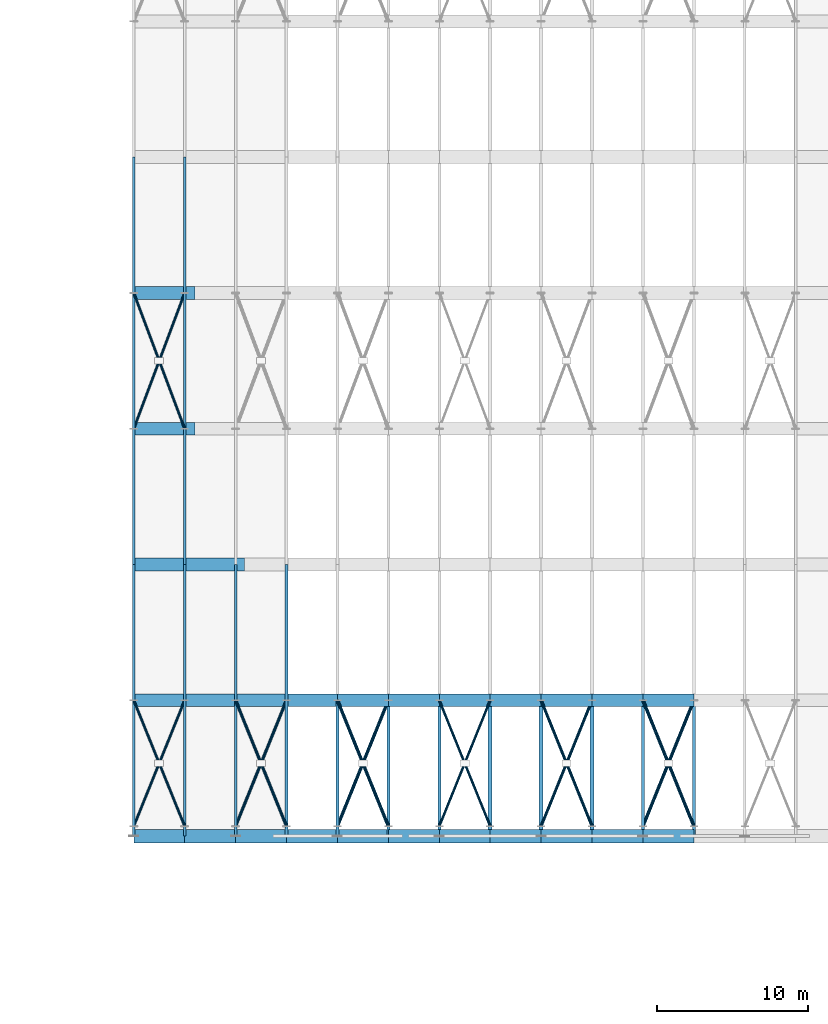
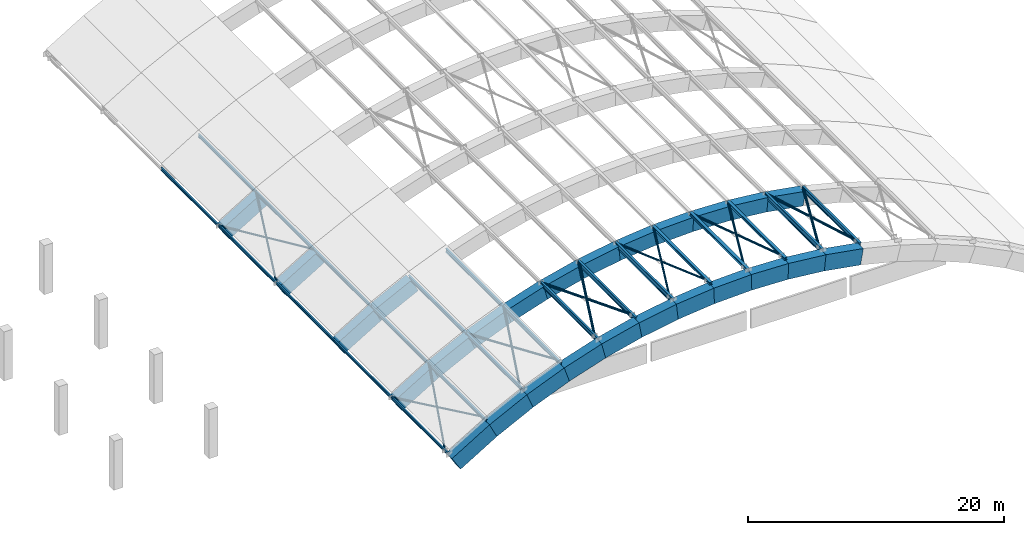
# One storey, part 4 of 30: 48 beams, 21 members.
"""IFC4 building model written with IfcOpenShell, lengths in metres."""

import ifcopenshell
import ifcopenshell.guid

model = None  # the IFC model being written
_history = None  # IfcOwnerHistory: only IFC2X3 demands one
_inside = {}  # id of a spatial element -> (the spatial element, [elements in it])
_under = {}  # id of a project, library or spatial element -> (it, [spatial elements below it])
_declared = {}  # id of a project -> (the project, [libraries it declares])
_typed = {}  # id of a type object -> (the type object, [elements of that type])
_made_of = {}  # id of a material, layer set ... -> (it, [elements and type objects made of it])


def new_model(schema):
    """Start an empty IFC model of exactly this schema.

    Asked for "IFC4X3", IfcOpenShell would pick the latest addendum, in which some entities
    have other attributes; the version numbers below select the first issue.
    IFC2X3 requires an IfcOwnerHistory on every rooted entity: one is made here for all.
    """
    global model, _history
    if schema == "IFC4X3":
        model = ifcopenshell.file(schema_version=(4, 3, 0, 0))
    else:
        model = ifcopenshell.file(schema=schema)
    _inside.clear()
    _under.clear()
    _declared.clear()
    _typed.clear()
    _made_of.clear()
    _history = None
    if model.schema == "IFC2X3":
        org = make("IfcOrganization", Name="unknown")
        user = make(
            "IfcPersonAndOrganization",
            ThePerson=make("IfcPerson", FamilyName="unknown"),
            TheOrganization=org,
        )
        app = make(
            "IfcApplication",
            ApplicationDeveloper=org,
            Version="unknown",
            ApplicationFullName="unknown",
            ApplicationIdentifier="unknown",
        )
        _history = make(
            "IfcOwnerHistory",
            OwningUser=user,
            OwningApplication=app,
            ChangeAction="ADDED",
            CreationDate=0,
        )
    return model


def make(cls, **values):
    """One entity of the class cls with the attributes given. An attribute that is None is left unset."""
    return model.create_entity(
        cls, **{name: value for name, value in values.items() if value is not None}
    )


def rooted(cls, **values):
    """An entity with a GlobalId (a new one), such as an element, a storey or a relation."""
    return make(cls, GlobalId=ifcopenshell.guid.new(), OwnerHistory=_history, **values)


def si_unit(unit_type, name, prefix=None):
    """IfcSIUnit, for example si_unit("LENGTHUNIT", "METRE", prefix="MILLI")."""
    return make("IfcSIUnit", UnitType=unit_type, Prefix=prefix, Name=name)


def assignment(units):
    """IfcUnitAssignment: the units of a project."""
    return None if units is None else make("IfcUnitAssignment", Units=units)


def point(xyz):
    """IfcCartesianPoint."""
    return None if xyz is None else make("IfcCartesianPoint", Coordinates=xyz)


def direction(xyz):
    """IfcDirection."""
    return None if xyz is None else make("IfcDirection", DirectionRatios=xyz)


def frame(location, z_axis=None, x_axis=None):
    """IfcAxis2Placement3D, a coordinate frame: its origin and axes. An axis left out is left unset."""
    return make(
        "IfcAxis2Placement3D",
        Location=point(location),
        Axis=direction(z_axis),
        RefDirection=direction(x_axis),
    )


def frame_2d(location, x_axis=None):
    """IfcAxis2Placement2D, a coordinate frame in the plane: its origin and x axis."""
    return make(
        "IfcAxis2Placement2D", Location=point(location), RefDirection=direction(x_axis)
    )


def origin():
    """The frame at (0, 0, 0) with its axes left unset."""
    return frame((0.0, 0.0, 0.0))


def origin_2d():
    """The frame at (0, 0) in the plane with its x axis left unset."""
    return frame_2d((0.0, 0.0))


def place(relative_to, where):
    """IfcLocalPlacement: puts the frame where relative to a parent placement (None: the world)."""
    return make(
        "IfcLocalPlacement", PlacementRelTo=relative_to, RelativePlacement=where
    )


def context(
    kind, dimensions, precision=None, world=None, true_north=None, identifier=None
):
    """IfcGeometricRepresentationContext, for example the 3D "Model" context."""
    return make(
        "IfcGeometricRepresentationContext",
        ContextIdentifier=identifier,
        ContextType=kind,
        CoordinateSpaceDimension=dimensions,
        Precision=precision,
        WorldCoordinateSystem=world,
        TrueNorth=true_north,
    )


def subcontext(parent, identifier, kind, view, scale=None):
    """IfcGeometricRepresentationSubContext, for example "Body" below "Model"."""
    return make(
        "IfcGeometricRepresentationSubContext",
        ContextIdentifier=identifier,
        ContextType=kind,
        ParentContext=parent,
        TargetScale=scale,
        TargetView=view,
    )


def project(units=None, contexts=None):
    """IfcProject with its units and contexts."""
    return rooted(
        "IfcProject",
        Name="project",
        RepresentationContexts=contexts,
        UnitsInContext=assignment(units),
    )


def spatial(cls, under=None, at=None, **own):
    """A site, building, storey or space (cls), placed at a placement, below another one or the project."""
    s = rooted(cls, ObjectPlacement=at, **own)
    if under is not None:
        _under.setdefault(under.id(), (under, []))[1].append(s)
    return s


def profile(cls, at=None, kind="AREA", **sizes):
    """A parametric profile (cls). Its sizes go by their IFC names, for example OverallWidth=200.0."""
    return make(cls, ProfileType=kind, Position=at, **sizes)


def rectangle(**sizes):
    """IfcRectangleProfileDef."""
    return profile("IfcRectangleProfileDef", **sizes)


def hollow_circle(**sizes):
    """IfcCircleHollowProfileDef."""
    return profile("IfcCircleHollowProfileDef", **sizes)


def i_section(**sizes):
    """IfcIShapeProfileDef."""
    return profile("IfcIShapeProfileDef", **sizes)


def extrude(swept, where, along, depth):
    """IfcExtrudedAreaSolid: the profile swept, set in the frame where, extruded along a direction by depth."""
    return make(
        "IfcExtrudedAreaSolid",
        SweptArea=swept,
        Position=where,
        ExtrudedDirection=direction(along),
        Depth=depth,
    )


def shape(context_of_items, identifier, shape_type, items):
    """IfcShapeRepresentation: the items that make up one representation, for example the "Body"."""
    return make(
        "IfcShapeRepresentation",
        ContextOfItems=context_of_items,
        RepresentationIdentifier=identifier,
        RepresentationType=shape_type,
        Items=items,
    )


def material(Name=None, Category=None):
    """IfcMaterial."""
    return make("IfcMaterial", Name=Name, Category=Category)


def material_profile(
    of_material, cross_section, Name=None, Category=None, Priority=None
):
    """IfcMaterialProfile: a cross section and its material."""
    return make(
        "IfcMaterialProfile",
        Name=Name,
        Material=of_material,
        Profile=cross_section,
        Priority=Priority,
        Category=Category,
    )


def profile_set(profiles, Name=None, composite=None):
    """IfcMaterialProfileSet."""
    return make(
        "IfcMaterialProfileSet",
        Name=Name,
        MaterialProfiles=profiles,
        CompositeProfile=composite,
    )


def made_of(thing, what):
    """Note that an element or type object is made of a material, layer set ...; save() writes the relation."""
    if what is not None:
        _made_of.setdefault(what.id(), (what, []))[1].append(thing)
    return thing


def type_object(cls, material=None, **own):
    """A type object (cls), such as IfcWallType, which elements share."""
    return made_of(rooted(cls, **own), material)


def element(
    cls,
    number,
    at=None,
    inside=None,
    cuts=None,
    type_object=None,
    material=None,
    context=None,
    identifier="Body",
    shape_type=None,
    held_by="IfcProductDefinitionShape",
    body=None,
    shapes=None,
    **own,
):
    """One element of the class cls, such as IfcWall. Its Tag is "e" and its number.

    at: its placement. inside: the storey or other place that contains it. cuts: it is an
    opening in that element (IfcRelVoidsElement). A single representation is given by context,
    identifier, shape_type and body (its items); several are given by shapes. held_by: the class
    of the entity that holds the representations. save() writes the other relations.
    """
    e = rooted(cls, Tag="e%d" % number, ObjectPlacement=at, **own)
    if body is not None:
        shapes = [shape(context, identifier, shape_type, body)]
    if shapes is not None:
        e.Representation = make(held_by, Representations=shapes)
    if inside is not None:
        _inside.setdefault(inside.id(), (inside, []))[1].append(e)
    if cuts is not None:
        rooted(
            "IfcRelVoidsElement", RelatingBuildingElement=cuts, RelatedOpeningElement=e
        )
    if type_object is not None:
        _typed.setdefault(type_object.id(), (type_object, []))[1].append(e)
    return made_of(e, material)


def aggregate(whole, parts):
    """IfcRelAggregates: a whole, such as a stair, and the parts it consists of."""
    return rooted("IfcRelAggregates", RelatingObject=whole, RelatedObjects=parts)


def save(model, path):
    """Write the relations noted so far, then the file.

    IfcRelAggregates (storeys below a building ...), IfcRelContainedInSpatialStructure (elements
    in a storey), IfcRelDefinesByType, IfcRelAssociatesMaterial and IfcRelDeclares: one each for
    every whole, place, type object, material and project.
    """
    for whole, parts in _under.values():
        aggregate(whole, parts)
    for where, things in _inside.values():
        rooted(
            "IfcRelContainedInSpatialStructure",
            RelatedElements=things,
            RelatingStructure=where,
        )
    for kind, things in _typed.values():
        rooted("IfcRelDefinesByType", RelatedObjects=things, RelatingType=kind)
    for what, things in _made_of.values():
        rooted("IfcRelAssociatesMaterial", RelatedObjects=things, RelatingMaterial=what)
    for by, libraries in _declared.values():
        rooted("IfcRelDeclares", RelatingContext=by, RelatedDefinitions=libraries)
    model.write(path)


model = new_model("IFC4")

# Units and contexts
model_context = context("Model", 3, precision=1e-05, world=origin(), true_north=direction((0.0, 1.0)))
body_context = subcontext(model_context, "Body", "Model", "MODEL_VIEW")
ifc_project = project(units=[si_unit("LENGTHUNIT", "METRE"), si_unit("AREAUNIT", "SQUARE_METRE"), si_unit("VOLUMEUNIT", "CUBIC_METRE"), si_unit("PLANEANGLEUNIT", "RADIAN"), si_unit("MASSUNIT", "GRAM", prefix="KILO")], contexts=[model_context])

# Site, building, storey
site_placement = place(None, origin())
site = spatial("IfcSite", under=ifc_project, at=site_placement, CompositionType="ELEMENT")
building_placement = place(site_placement, origin())
building = spatial("IfcBuilding", under=site, at=building_placement, Name="Ornek Quay Market", CompositionType="ELEMENT")
storey_placement = place(building_placement, frame((0.0, 0.0, 12.0)))
storey = spatial("IfcBuildingStorey", under=building, at=storey_placement, Name="L03", CompositionType="ELEMENT", Elevation=12.0)

# Beams
ifc_material_1 = material(Name="Concrete C45/55", Category="concrete")
ifc_material_profile_1 = material_profile(ifc_material_1, rectangle(XDim=0.85009765625, YDim=1.35009765625, at=origin_2d()), Name="RC 850x1350", Category="concrete")
ifc_profile_set_1 = profile_set([ifc_material_profile_1], Name="Concrete C45/55")
beam_type_1 = type_object("IfcBeamType", Name="BM-ARCH-850x1350", PredefinedType="BEAM", material=ifc_profile_set_1)
beam_1_placement = place(storey_placement, frame((63.3486328125, 38.0, -3.577880859375), z_axis=(0.856326530364, 0.0, 0.516434771675), x_axis=(0.0, 1.0, 0.0)))
element("IfcBeam", 1, at=beam_1_placement, inside=storey, type_object=beam_type_1, Name="Arch rib chord E.1", PredefinedType="BEAM", context=body_context, shape_type="SweptSolid", body=[
    extrude(rectangle(XDim=0.85009765625, YDim=1.35009765625, at=origin_2d()), origin(), (0.0, 0.0, 1.0), 3.941162109375),
])
beam_2_placement = place(storey_placement, frame((66.677001953125, 38.0, -1.568115234375), z_axis=(0.894245991428, 0.0, 0.447575811248), x_axis=(0.0, 1.0, 0.0)))
element("IfcBeam", 2, at=beam_2_placement, inside=storey, type_object=beam_type_1, Name="Arch rib chord E.2", PredefinedType="BEAM", context=body_context, shape_type="SweptSolid", body=[
    extrude(rectangle(XDim=0.85009765625, YDim=1.35009765625, at=origin_2d()), origin(), (0.0, 0.0, 1.0), 3.774169921875),
])
beam_3_placement = place(storey_placement, frame((70.005615234375, 38.0, 0.10009765625), z_axis=(0.925506425872, 0.0, 0.378731904742), x_axis=(0.0, 1.0, 0.0)))
element("IfcBeam", 3, at=beam_3_placement, inside=storey, type_object=beam_type_1, Name="Arch rib chord E.3", PredefinedType="BEAM", context=body_context, shape_type="SweptSolid", body=[
    extrude(rectangle(XDim=0.85009765625, YDim=1.35009765625, at=origin_2d()), origin(), (0.0, 0.0, 1.0), 3.646728515625),
])
beam_4_placement = place(storey_placement, frame((73.333984375, 38.0, 1.464111328125), z_axis=(0.950807373928, 0.0, 0.309782726575), x_axis=(0.0, 1.0, 0.0)))
element("IfcBeam", 4, at=beam_4_placement, inside=storey, type_object=beam_type_1, Name="Arch rib chord E.4", PredefinedType="BEAM", context=body_context, shape_type="SweptSolid", body=[
    extrude(rectangle(XDim=0.85009765625, YDim=1.35009765625, at=origin_2d()), origin(), (0.0, 0.0, 1.0), 3.549560546875),
])
beam_5_placement = place(storey_placement, frame((76.66259765625, 38.0, 2.550537109375), z_axis=(0.970537665456, 0.0, 0.240949455139), x_axis=(0.0, 1.0, 0.0)))
element("IfcBeam", 5, at=beam_5_placement, inside=storey, type_object=beam_type_1, Name="Arch rib chord E.5", PredefinedType="BEAM", context=body_context, shape_type="SweptSolid", body=[
    extrude(rectangle(XDim=0.85009765625, YDim=1.35009765625, at=origin_2d()), origin(), (0.0, 0.0, 1.0), 3.4775390625),
])
beam_6_placement = place(storey_placement, frame((79.9912109375, 38.0, 3.378662109375), z_axis=(0.985069160971, 0.0, 0.172159077901), x_axis=(0.0, 1.0, 0.0)))
element("IfcBeam", 6, at=beam_6_placement, inside=storey, type_object=beam_type_1, Name="Arch rib chord E.6", PredefinedType="BEAM", context=body_context, shape_type="SweptSolid", body=[
    extrude(rectangle(XDim=0.85009765625, YDim=1.35009765625, at=origin_2d()), origin(), (0.0, 0.0, 1.0), 3.42626953125),
])
beam_7_placement = place(storey_placement, frame((83.319580078125, 38.0, 3.9619140625), z_axis=(0.994648025839, 0.0, 0.10332136611), x_axis=(0.0, 1.0, 0.0)))
element("IfcBeam", 7, at=beam_7_placement, inside=storey, type_object=beam_type_1, Name="Arch rib chord E.7", PredefinedType="BEAM", context=body_context, shape_type="SweptSolid", body=[
    extrude(rectangle(XDim=0.85009765625, YDim=1.35009765625, at=origin_2d()), origin(), (0.0, 0.0, 1.0), 3.39306640625),
])
for number, where, z_axis, x_axis, name in (
    (8, (86.648193359375, 38.0, 4.30908203125), (0.999407715337, 0.0, 0.034412476309), (0.0, 1.0, 0.0), "Arch rib chord E.8"),
    (9, (89.976806640625, 38.0, 4.42529296875), (0.999407715337, 0.0, -0.034412476309), (0.0, 1.0, 0.0), "Arch rib chord E.9"),
):
    element("IfcBeam", number, at=place(storey_placement, frame(where, z_axis=z_axis, x_axis=x_axis)), inside=storey, type_object=beam_type_1, Name=name, PredefinedType="BEAM", context=body_context, shape_type="SweptSolid", body=[
        extrude(rectangle(XDim=0.85009765625, YDim=1.35009765625, at=origin_2d()), origin(), (0.0, 0.0, 1.0), 3.376953125),
    ])
beam_8_placement = place(storey_placement, frame((93.305419921875, 38.0, 4.3125), z_axis=(0.994648025839, 0.0, -0.10332136611), x_axis=(0.0, 1.0, 0.0)))
element("IfcBeam", 10, at=beam_8_placement, inside=storey, type_object=beam_type_1, Name="Arch rib chord E.10", PredefinedType="BEAM", context=body_context, shape_type="SweptSolid", body=[
    extrude(rectangle(XDim=0.85009765625, YDim=1.35009765625, at=origin_2d()), origin(), (0.0, 0.0, 1.0), 3.39306640625),
])
beam_9_placement = place(storey_placement, frame((96.6337890625, 38.0, 3.968505859375), z_axis=(0.985069160971, 0.0, -0.172159077901), x_axis=(0.0, 1.0, 0.0)))
element("IfcBeam", 11, at=beam_9_placement, inside=storey, type_object=beam_type_1, Name="Arch rib chord E.11", PredefinedType="BEAM", context=body_context, shape_type="SweptSolid", body=[
    extrude(rectangle(XDim=0.85009765625, YDim=1.35009765625, at=origin_2d()), origin(), (0.0, 0.0, 1.0), 3.42626953125),
])
beam_10_placement = place(storey_placement, frame((63.3486328125, 47.0, -3.577880859375), z_axis=(0.856326530364, 0.0, 0.516434771675), x_axis=(0.0, 1.0, 0.0)))
element("IfcBeam", 12, at=beam_10_placement, inside=storey, type_object=beam_type_1, Name="Arch rib chord F.1", PredefinedType="BEAM", context=body_context, shape_type="SweptSolid", body=[
    extrude(rectangle(XDim=0.85009765625, YDim=1.35009765625, at=origin_2d()), origin(), (0.0, 0.0, 1.0), 3.941162109375),
])
beam_11_placement = place(storey_placement, frame((66.677001953125, 47.0, -1.568115234375), z_axis=(0.894245991428, 0.0, 0.447575811248), x_axis=(0.0, 1.0, 0.0)))
element("IfcBeam", 13, at=beam_11_placement, inside=storey, type_object=beam_type_1, Name="Arch rib chord F.2", PredefinedType="BEAM", context=body_context, shape_type="SweptSolid", body=[
    extrude(rectangle(XDim=0.85009765625, YDim=1.35009765625, at=origin_2d()), origin(), (0.0, 0.0, 1.0), 3.774169921875),
])
for number, where, z_axis, x_axis, name in (
    (14, (63.3486328125, 56.0, -3.577880859375), (0.856326530364, 0.0, 0.516434771675), (0.0, 1.0, 0.0), "Arch rib chord G.1"),
    (15, (63.3486328125, 65.0, -3.577880859375), (0.856326530364, 0.0, 0.516434771675), (0.0, 1.0, 0.0), "Arch rib chord H.1"),
):
    element("IfcBeam", number, at=place(storey_placement, frame(where, z_axis=z_axis, x_axis=x_axis)), inside=storey, type_object=beam_type_1, Name=name, PredefinedType="BEAM", context=body_context, shape_type="SweptSolid", body=[
        extrude(rectangle(XDim=0.85009765625, YDim=1.35009765625, at=origin_2d()), origin(), (0.0, 0.0, 1.0), 3.941162109375),
    ])
ifc_material_profile_2 = material_profile(ifc_material_1, rectangle(XDim=0.89990234375, YDim=1.5, at=origin_2d()), Name="RC 900x1500", Category="concrete")
ifc_profile_set_2 = profile_set([ifc_material_profile_2], Name="Concrete C45/55")
beam_type_2 = type_object("IfcBeamType", Name="BM-ARCH-900x1500", PredefinedType="BEAM", material=ifc_profile_set_2)
beam_12_placement = place(storey_placement, frame((63.387451171875, 29.0, -3.64208984375), z_axis=(0.856326530364, 0.0, 0.516434771675), x_axis=(0.0, 1.0, 0.0)))
element("IfcBeam", 16, at=beam_12_placement, inside=storey, type_object=beam_type_2, Name="Arch rib chord D.1", PredefinedType="BEAM", context=body_context, shape_type="SweptSolid", body=[
    extrude(rectangle(XDim=0.89990234375, YDim=1.5, at=origin_2d()), origin(), (0.0, 0.0, 1.0), 3.941162109375),
])
beam_13_placement = place(storey_placement, frame((66.710693359375, 29.0, -1.635009765625), z_axis=(0.894245991428, 0.0, 0.447575811248), x_axis=(0.0, 1.0, 0.0)))
element("IfcBeam", 17, at=beam_13_placement, inside=storey, type_object=beam_type_2, Name="Arch rib chord D.2", PredefinedType="BEAM", context=body_context, shape_type="SweptSolid", body=[
    extrude(rectangle(XDim=0.89990234375, YDim=1.5, at=origin_2d()), origin(), (0.0, 0.0, 1.0), 3.774169921875),
])
beam_14_placement = place(storey_placement, frame((70.033935546875, 29.0, 0.03076171875), z_axis=(0.925529891662, 0.0, 0.378674556368), x_axis=(0.0, 1.0, 0.0)))
element("IfcBeam", 18, at=beam_14_placement, inside=storey, type_object=beam_type_2, Name="Arch rib chord D.3", PredefinedType="BEAM", context=body_context, shape_type="SweptSolid", body=[
    extrude(rectangle(XDim=0.89990234375, YDim=1.5, at=origin_2d()), origin(), (0.0, 0.0, 1.0), 3.646484375),
])
beam_15_placement = place(storey_placement, frame((73.357421875, 29.0, 1.392578125), z_axis=(0.950787113767, 0.0, 0.309844903611), x_axis=(0.0, 1.0, 0.0)))
element("IfcBeam", 19, at=beam_15_placement, inside=storey, type_object=beam_type_2, Name="Arch rib chord D.4", PredefinedType="BEAM", context=body_context, shape_type="SweptSolid", body=[
    extrude(rectangle(XDim=0.89990234375, YDim=1.5, at=origin_2d()), origin(), (0.0, 0.0, 1.0), 3.5498046875),
])
beam_16_placement = place(storey_placement, frame((76.6806640625, 29.0, 2.477783203125), z_axis=(0.970537665456, 0.0, 0.240949455139), x_axis=(0.0, 1.0, 0.0)))
element("IfcBeam", 20, at=beam_16_placement, inside=storey, type_object=beam_type_2, Name="Arch rib chord D.5", PredefinedType="BEAM", context=body_context, shape_type="SweptSolid", body=[
    extrude(rectangle(XDim=0.89990234375, YDim=1.5, at=origin_2d()), origin(), (0.0, 0.0, 1.0), 3.4775390625),
])
beam_17_placement = place(storey_placement, frame((80.004150390625, 29.0, 3.3046875), z_axis=(0.985069160971, 0.0, 0.172159077901), x_axis=(0.0, 1.0, 0.0)))
element("IfcBeam", 21, at=beam_17_placement, inside=storey, type_object=beam_type_2, Name="Arch rib chord D.6", PredefinedType="BEAM", context=body_context, shape_type="SweptSolid", body=[
    extrude(rectangle(XDim=0.89990234375, YDim=1.5, at=origin_2d()), origin(), (0.0, 0.0, 1.0), 3.42626953125),
])
beam_18_placement = place(storey_placement, frame((83.327392578125, 29.0, 3.88720703125), z_axis=(0.994648025839, 0.0, 0.10332136611), x_axis=(0.0, 1.0, 0.0)))
element("IfcBeam", 22, at=beam_18_placement, inside=storey, type_object=beam_type_2, Name="Arch rib chord D.7", PredefinedType="BEAM", context=body_context, shape_type="SweptSolid", body=[
    extrude(rectangle(XDim=0.89990234375, YDim=1.5, at=origin_2d()), origin(), (0.0, 0.0, 1.0), 3.39306640625),
])
for number, where, z_axis, x_axis, name in (
    (23, (86.65087890625, 29.0, 4.234130859375), (0.999407715337, 0.0, 0.034412476309), (0.0, 1.0, 0.0), "Arch rib chord D.8"),
    (24, (89.97412109375, 29.0, 4.350341796875), (0.999407715337, 0.0, -0.034412476309), (0.0, 1.0, 0.0), "Arch rib chord D.9"),
):
    element("IfcBeam", number, at=place(storey_placement, frame(where, z_axis=z_axis, x_axis=x_axis)), inside=storey, type_object=beam_type_2, Name=name, PredefinedType="BEAM", context=body_context, shape_type="SweptSolid", body=[
        extrude(rectangle(XDim=0.89990234375, YDim=1.5, at=origin_2d()), origin(), (0.0, 0.0, 1.0), 3.376953125),
    ])
beam_19_placement = place(storey_placement, frame((93.297607421875, 29.0, 4.23779296875), z_axis=(0.994648025839, 0.0, -0.10332136611), x_axis=(0.0, 1.0, 0.0)))
element("IfcBeam", 25, at=beam_19_placement, inside=storey, type_object=beam_type_2, Name="Arch rib chord D.10", PredefinedType="BEAM", context=body_context, shape_type="SweptSolid", body=[
    extrude(rectangle(XDim=0.89990234375, YDim=1.5, at=origin_2d()), origin(), (0.0, 0.0, 1.0), 3.39306640625),
])
beam_20_placement = place(storey_placement, frame((96.620849609375, 29.0, 3.89453125), z_axis=(0.985069160971, 0.0, -0.172159077901), x_axis=(0.0, 1.0, 0.0)))
element("IfcBeam", 26, at=beam_20_placement, inside=storey, type_object=beam_type_2, Name="Arch rib chord D.11", PredefinedType="BEAM", context=body_context, shape_type="SweptSolid", body=[
    extrude(rectangle(XDim=0.89990234375, YDim=1.5, at=origin_2d()), origin(), (0.0, 0.0, 1.0), 3.42626953125),
])
ifc_material_2 = material(Name="Steel S355", Category="steel")
ifc_material_profile_3 = material_profile(ifc_material_2, i_section(OverallWidth=0.260009765625, OverallDepth=0.25, WebThickness=0.007568359375, FlangeThickness=0.012451171875, FilletRadius=0.02392578125, at=origin_2d()), Name="HEA 260", Category="steel")
ifc_profile_set_3 = profile_set([ifc_material_profile_3], Name="Steel S355")
beam_type_3 = type_object("IfcBeamType", Name="BM-STL-HEA260", PredefinedType="BEAM", material=ifc_profile_set_3)
for number, where, z_axis, x_axis, name in (
    (27, (86.625, 29.0, 5.149169921875), (0.0, 1.0, 0.0), (-1.0, 0.0, 0.0), "Vault steel purlin VP-008"),
    (28, (93.375, 29.0, 5.149169921875), (0.0, 1.0, 0.0), (-1.0, 0.0, 0.0), "Vault steel purlin VP-010"),
):
    element("IfcBeam", number, at=place(storey_placement, frame(where, z_axis=z_axis, x_axis=x_axis)), inside=storey, type_object=beam_type_3, Name=name, PredefinedType="BEAM", context=body_context, shape_type="SweptSolid", body=[
        extrude(i_section(OverallWidth=0.260009765625, OverallDepth=0.25, WebThickness=0.007568359375, FlangeThickness=0.012451171875, FilletRadius=0.02392578125, at=origin_2d()), origin(), (0.0, 0.0, 1.0), 9.0),
    ])
ifc_material_profile_4 = material_profile(ifc_material_2, i_section(OverallWidth=0.280029296875, OverallDepth=0.27001953125, WebThickness=0.008056640625, FlangeThickness=0.012939453125, FilletRadius=0.02392578125, at=origin_2d()), Name="HEA 280", Category="steel")
ifc_profile_set_4 = profile_set([ifc_material_profile_4], Name="Steel S355")
beam_type_4 = type_object("IfcBeamType", Name="BM-STL-HEA280", PredefinedType="BEAM", material=ifc_profile_set_4)
beam_21_placement = place(storey_placement, frame((90.0, 29.0, 5.2568359375), z_axis=(0.0, 1.0, 0.0), x_axis=(-1.0, 0.0, 0.0)))
element("IfcBeam", 29, at=beam_21_placement, inside=storey, type_object=beam_type_4, Name="Vault steel purlin VP-009", PredefinedType="BEAM", context=body_context, shape_type="SweptSolid", body=[
    extrude(i_section(OverallWidth=0.280029296875, OverallDepth=0.27001953125, WebThickness=0.008056640625, FlangeThickness=0.012939453125, FilletRadius=0.02392578125, at=origin_2d()), origin(), (0.0, 0.0, 1.0), 9.0),
])
ifc_material_profile_5 = material_profile(ifc_material_2, i_section(OverallWidth=0.135009765625, OverallDepth=0.27001953125, WebThickness=0.006591796875, FlangeThickness=0.01025390625, FilletRadius=0.014892578125, at=origin_2d()), Name="IPE 270", Category="steel")
ifc_profile_set_5 = profile_set([ifc_material_profile_5], Name="Steel S355")
beam_type_5 = type_object("IfcBeamType", Name="BM-STL-IPE270", PredefinedType="JOIST", material=ifc_profile_set_5)
for number, where, z_axis, x_axis, name in (
    (30, (63.0, 29.0, -2.8916015625), (0.0, 1.0, 0.0), (-1.0, 0.0, 0.0), "Vault steel purlin VP-001"),
    (31, (63.0, 38.0, -2.8916015625), (0.0, 1.0, 0.0), (-1.0, 0.0, 0.0), "Vault steel purlin VP-018"),
    (32, (63.0, 47.0, -2.8916015625), (0.0, 1.0, 0.0), (-1.0, 0.0, 0.0), "Vault steel purlin VP-035"),
    (33, (63.0, 56.0, -2.8916015625), (0.0, 1.0, 0.0), (-1.0, 0.0, 0.0), "Vault steel purlin VP-052"),
    (34, (63.0, 65.0, -2.8916015625), (0.0, 1.0, 0.0), (-1.0, 0.0, 0.0), "Vault steel purlin VP-069"),
):
    element("IfcBeam", number, at=place(storey_placement, frame(where, z_axis=z_axis, x_axis=x_axis)), inside=storey, type_object=beam_type_5, Name=name, PredefinedType="JOIST", context=body_context, shape_type="SweptSolid", body=[
        extrude(i_section(OverallWidth=0.135009765625, OverallDepth=0.27001953125, WebThickness=0.006591796875, FlangeThickness=0.01025390625, FilletRadius=0.014892578125, at=origin_2d()), origin(), (0.0, 0.0, 1.0), 9.0),
    ])
ifc_material_profile_6 = material_profile(ifc_material_2, i_section(OverallWidth=0.14990234375, OverallDepth=0.300048828125, WebThickness=0.007080078125, FlangeThickness=0.0107421875, FilletRadius=0.014892578125, at=origin_2d()), Name="IPE 300", Category="steel")
ifc_profile_set_6 = profile_set([ifc_material_profile_6], Name="Steel S355")
beam_type_6 = type_object("IfcBeamType", Name="BM-STL-IPE300", PredefinedType="JOIST", material=ifc_profile_set_6)
for number, where, z_axis, x_axis, name in (
    (35, (66.375, 29.0, -0.87109375), (0.0, 1.0, 0.0), (-1.0, 0.0, 0.0), "Vault steel purlin VP-002"),
    (36, (66.375, 38.0, -0.87109375), (0.0, 1.0, 0.0), (-1.0, 0.0, 0.0), "Vault steel purlin VP-019"),
    (37, (66.375, 47.0, -0.87109375), (0.0, 1.0, 0.0), (-1.0, 0.0, 0.0), "Vault steel purlin VP-036"),
    (38, (66.375, 56.0, -0.87109375), (0.0, 1.0, 0.0), (-1.0, 0.0, 0.0), "Vault steel purlin VP-053"),
    (39, (66.375, 65.0, -0.87109375), (0.0, 1.0, 0.0), (-1.0, 0.0, 0.0), "Vault steel purlin VP-070"),
):
    element("IfcBeam", number, at=place(storey_placement, frame(where, z_axis=z_axis, x_axis=x_axis)), inside=storey, type_object=beam_type_6, Name=name, PredefinedType="JOIST", context=body_context, shape_type="SweptSolid", body=[
        extrude(i_section(OverallWidth=0.14990234375, OverallDepth=0.300048828125, WebThickness=0.007080078125, FlangeThickness=0.0107421875, FilletRadius=0.014892578125, at=origin_2d()), origin(), (0.0, 0.0, 1.0), 9.0),
    ])
ifc_material_profile_7 = material_profile(ifc_material_2, i_section(OverallWidth=0.159912109375, OverallDepth=0.330078125, WebThickness=0.007568359375, FlangeThickness=0.011474609375, FilletRadius=0.01806640625, at=origin_2d()), Name="IPE 330", Category="steel")
ifc_profile_set_7 = profile_set([ifc_material_profile_7], Name="Steel S355")
beam_type_7 = type_object("IfcBeamType", Name="BM-STL-IPE330", PredefinedType="JOIST", material=ifc_profile_set_7)
for number, where, z_axis, x_axis, name in (
    (40, (69.75, 29.0, 0.8173828125), (0.0, 1.0, 0.0), (-1.0, 0.0, 0.0), "Vault steel purlin VP-003"),
    (41, (69.75, 38.0, 0.8173828125), (0.0, 1.0, 0.0), (-1.0, 0.0, 0.0), "Vault steel purlin VP-020"),
):
    element("IfcBeam", number, at=place(storey_placement, frame(where, z_axis=z_axis, x_axis=x_axis)), inside=storey, type_object=beam_type_7, Name=name, PredefinedType="JOIST", context=body_context, shape_type="SweptSolid", body=[
        extrude(i_section(OverallWidth=0.159912109375, OverallDepth=0.330078125, WebThickness=0.007568359375, FlangeThickness=0.011474609375, FilletRadius=0.01806640625, at=origin_2d()), origin(), (0.0, 0.0, 1.0), 9.0),
    ])
ifc_material_profile_8 = material_profile(ifc_material_2, i_section(OverallWidth=0.169921875, OverallDepth=0.360107421875, WebThickness=0.008056640625, FlangeThickness=0.0126953125, FilletRadius=0.01806640625, at=origin_2d()), Name="IPE 360", Category="steel")
ifc_profile_set_8 = profile_set([ifc_material_profile_8], Name="Steel S355")
beam_type_8 = type_object("IfcBeamType", Name="BM-STL-IPE360", PredefinedType="BEAM", material=ifc_profile_set_8)
for number, where, z_axis, x_axis, name in (
    (42, (73.125, 29.0, 2.194580078125), (0.0, 1.0, 0.0), (-1.0, 0.0, 0.0), "Vault steel purlin VP-004"),
    (43, (73.125, 38.0, 2.194580078125), (0.0, 1.0, 0.0), (-1.0, 0.0, 0.0), "Vault steel purlin VP-021"),
):
    element("IfcBeam", number, at=place(storey_placement, frame(where, z_axis=z_axis, x_axis=x_axis)), inside=storey, type_object=beam_type_8, Name=name, PredefinedType="BEAM", context=body_context, shape_type="SweptSolid", body=[
        extrude(i_section(OverallWidth=0.169921875, OverallDepth=0.360107421875, WebThickness=0.008056640625, FlangeThickness=0.0126953125, FilletRadius=0.01806640625, at=origin_2d()), origin(), (0.0, 0.0, 1.0), 9.0),
    ])
ifc_material_profile_9 = material_profile(ifc_material_2, i_section(OverallWidth=0.179931640625, OverallDepth=0.39990234375, WebThickness=0.008544921875, FlangeThickness=0.013427734375, FilletRadius=0.02099609375, at=origin_2d()), Name="IPE 400", Category="steel")
ifc_profile_set_9 = profile_set([ifc_material_profile_9], Name="Steel S355")
beam_type_9 = type_object("IfcBeamType", Name="BM-STL-IPE400", PredefinedType="BEAM", material=ifc_profile_set_9)
beam_22_placement = place(storey_placement, frame((76.5, 29.0, 3.28271484375), z_axis=(0.0, 1.0, 0.0), x_axis=(-1.0, 0.0, 0.0)))
element("IfcBeam", 44, at=beam_22_placement, inside=storey, type_object=beam_type_9, Name="Vault steel purlin VP-005", PredefinedType="BEAM", context=body_context, shape_type="SweptSolid", body=[
    extrude(i_section(OverallWidth=0.179931640625, OverallDepth=0.39990234375, WebThickness=0.008544921875, FlangeThickness=0.013427734375, FilletRadius=0.02099609375, at=origin_2d()), origin(), (0.0, 0.0, 1.0), 9.0),
])
ifc_material_profile_10 = material_profile(ifc_material_2, i_section(OverallWidth=0.18994140625, OverallDepth=0.449951171875, WebThickness=0.009521484375, FlangeThickness=0.0146484375, FilletRadius=0.02099609375, at=origin_2d()), Name="IPE 450", Category="steel")
ifc_profile_set_10 = profile_set([ifc_material_profile_10], Name="Steel S355")
beam_type_10 = type_object("IfcBeamType", Name="BM-STL-IPE450", PredefinedType="BEAM", material=ifc_profile_set_10)
for number, where, z_axis, x_axis, name in (
    (45, (79.875, 29.0, 4.101806640625), (0.0, 1.0, 0.0), (-1.0, 0.0, 0.0), "Vault steel purlin VP-006"),
    (46, (100.125, 29.0, 4.101806640625), (0.0, 1.0, 0.0), (-1.0, 0.0, 0.0), "Vault steel purlin VP-012"),
):
    element("IfcBeam", number, at=place(storey_placement, frame(where, z_axis=z_axis, x_axis=x_axis)), inside=storey, type_object=beam_type_10, Name=name, PredefinedType="BEAM", context=body_context, shape_type="SweptSolid", body=[
        extrude(i_section(OverallWidth=0.18994140625, OverallDepth=0.449951171875, WebThickness=0.009521484375, FlangeThickness=0.0146484375, FilletRadius=0.02099609375, at=origin_2d()), origin(), (0.0, 0.0, 1.0), 9.0),
    ])
ifc_material_profile_11 = material_profile(ifc_material_2, i_section(OverallWidth=0.199951171875, OverallDepth=0.5, WebThickness=0.01025390625, FlangeThickness=0.01611328125, FilletRadius=0.02099609375, at=origin_2d()), Name="IPE 500", Category="steel")
ifc_profile_set_11 = profile_set([ifc_material_profile_11], Name="Steel S355")
beam_type_11 = type_object("IfcBeamType", Name="BM-STL-IPE500", PredefinedType="BEAM", material=ifc_profile_set_11)
for number, where, z_axis, x_axis, name in (
    (47, (83.25, 29.0, 4.6708984375), (0.0, 1.0, 0.0), (-1.0, 0.0, 0.0), "Vault steel purlin VP-007"),
    (48, (96.75, 29.0, 4.6708984375), (0.0, 1.0, 0.0), (-1.0, 0.0, 0.0), "Vault steel purlin VP-011"),
):
    element("IfcBeam", number, at=place(storey_placement, frame(where, z_axis=z_axis, x_axis=x_axis)), inside=storey, type_object=beam_type_11, Name=name, PredefinedType="BEAM", context=body_context, shape_type="SweptSolid", body=[
        extrude(i_section(OverallWidth=0.199951171875, OverallDepth=0.5, WebThickness=0.01025390625, FlangeThickness=0.01611328125, FilletRadius=0.02099609375, at=origin_2d()), origin(), (0.0, 0.0, 1.0), 9.0),
    ])

# Members
ifc_material_profile_12 = material_profile(ifc_material_2, hollow_circle(Radius=0.084228515625, WallThickness=0.008056640625, at=origin_2d()), Name="CHS 168.3x8", Category="steel")
ifc_profile_set_12 = profile_set([ifc_material_profile_12], Name="Steel S355")
member_type_1 = type_object("IfcMemberType", Name="MBR-BRC-CHS168", PredefinedType="BRACE", material=ifc_profile_set_12)
member_1_placement = place(storey_placement, frame((63.0, 29.64990234375, -2.8798828125), z_axis=(0.365516678498, 0.904325914207, 0.22043638228), x_axis=(-0.927132108754, 0.374734643337, 0.0)))
element("IfcMember", 49, at=member_1_placement, inside=storey, type_object=member_type_1, Name="Vault wind brace VB-001", PredefinedType="BRACE", context=body_context, shape_type="SweptSolid", body=[
    extrude(hollow_circle(Radius=0.084228515625, WallThickness=0.008056640625, at=origin_2d()), origin(), (0.0, 0.0, 1.0), 9.2333984375),
])
member_2_placement = place(storey_placement, frame((66.375, 29.64990234375, -0.844482421875), z_axis=(-0.365487881718, 0.904339830279, -0.220427039377), x_axis=(-0.927144368827, -0.374704309225, 0.0)))
element("IfcMember", 50, at=member_2_placement, inside=storey, type_object=member_type_1, Name="Vault split wind brace VB-002", PredefinedType="BRACE", context=body_context, shape_type="SweptSolid", body=[
    extrude(hollow_circle(Radius=0.084228515625, WallThickness=0.008056640625, at=origin_2d()), origin(), (0.0, 0.0, 1.0), 4.476806640625),
])
member_3_placement = place(storey_placement, frame((64.63623046875, 33.95166015625, -1.89306640625), z_axis=(-0.365505907422, 0.904329895086, -0.220437910743), x_axis=(-0.927136518362, -0.374723733329, 0.0)))
element("IfcMember", 51, at=member_3_placement, inside=storey, type_object=member_type_1, Name="Vault split wind brace VB-003", PredefinedType="BRACE", context=body_context, shape_type="SweptSolid", body=[
    extrude(hollow_circle(Radius=0.084228515625, WallThickness=0.008056640625, at=origin_2d()), origin(), (0.0, 0.0, 1.0), 4.4765625),
])
member_4_placement = place(storey_placement, frame((83.25, 29.64990234375, 4.75341796875), z_axis=(0.374451448479, 0.926431455503, 0.038869923941), x_axis=(-0.927132108754, 0.374734643337, 0.0)))
element("IfcMember", 52, at=member_4_placement, inside=storey, type_object=member_type_1, Name="Vault wind brace VB-010", PredefinedType="BRACE", context=body_context, shape_type="SweptSolid", body=[
    extrude(hollow_circle(Radius=0.084228515625, WallThickness=0.008056640625, at=origin_2d()), origin(), (0.0, 0.0, 1.0), 9.01318359375),
])
for number, where, z_axis, x_axis, name in (
    (53, (86.625, 29.64990234375, 5.103759765625), (-0.37443351688, 0.926439207809, -0.038857890732), (-0.927139432683, -0.374716522672, 0.0), "Vault split wind brace VB-011"),
    (54, (84.885009765625, 33.95458984375, 4.923095703125), (-0.37443351688, 0.926439207809, -0.038857890732), (-0.927139432683, -0.374716522672, 0.0), "Vault split wind brace VB-012"),
):
    element("IfcMember", number, at=place(storey_placement, frame(where, z_axis=z_axis, x_axis=x_axis)), inside=storey, type_object=member_type_1, Name=name, PredefinedType="BRACE", context=body_context, shape_type="SweptSolid", body=[
        extrude(hollow_circle(Radius=0.084228515625, WallThickness=0.008056640625, at=origin_2d()), origin(), (0.0, 0.0, 1.0), 4.36669921875),
    ])
member_5_placement = place(storey_placement, frame((63.0, 56.0, -2.8798828125), z_axis=(0.343506371073, 0.916016989529, 0.207162370923), x_axis=(-0.936329177569, 0.351123441588, 0.0)))
element("IfcMember", 55, at=member_5_placement, inside=storey, type_object=member_type_1, Name="Vault wind brace VB-025", PredefinedType="BRACE", context=body_context, shape_type="SweptSolid", body=[
    extrude(hollow_circle(Radius=0.084228515625, WallThickness=0.008056640625, at=origin_2d()), origin(), (0.0, 0.0, 1.0), 9.8251953125),
])
for number, where, z_axis, x_axis, name in (
    (56, (66.375, 56.0, -0.844482421875), (-0.343499887881, 0.916016752389, -0.207174169162), (-0.936331326397, -0.351117711328, 0.0), "Vault split wind brace VB-026"),
    (57, (64.639404296875, 60.628173828125, -1.89111328125), (-0.343499887881, 0.916016752389, -0.207174169162), (-0.936331326397, -0.351117711328, 0.0), "Vault split wind brace VB-027"),
):
    element("IfcMember", number, at=place(storey_placement, frame(where, z_axis=z_axis, x_axis=x_axis)), inside=storey, type_object=member_type_1, Name=name, PredefinedType="BRACE", context=body_context, shape_type="SweptSolid", body=[
        extrude(hollow_circle(Radius=0.084228515625, WallThickness=0.008056640625, at=origin_2d()), origin(), (0.0, 0.0, 1.0), 4.772705078125),
    ])
ifc_material_profile_13 = material_profile(ifc_material_2, hollow_circle(Radius=0.096923828125, WallThickness=0.010009765625, at=origin_2d()), Name="CHS 193.7x10", Category="steel")
ifc_profile_set_13 = profile_set([ifc_material_profile_13], Name="Steel S355")
member_type_2 = type_object("IfcMemberType", Name="MBR-BRC-CHS193", PredefinedType="BRACE", material=ifc_profile_set_13)
member_6_placement = place(storey_placement, frame((69.75, 29.64990234375, 0.8447265625), z_axis=(0.370404838484, 0.916419725538, 0.151575533225), x_axis=(-0.927132108754, 0.374734643337, 0.0)))
element("IfcMember", 58, at=member_6_placement, inside=storey, type_object=member_type_2, Name="Vault wind brace VB-004", PredefinedType="BRACE", context=body_context, shape_type="SweptSolid", body=[
    extrude(hollow_circle(Radius=0.096923828125, WallThickness=0.010009765625, at=origin_2d()), origin(), (0.0, 0.0, 1.0), 9.111572265625),
])
member_7_placement = place(storey_placement, frame((73.125, 29.64990234375, 2.225830078125), z_axis=(-0.370365547839, 0.916432201967, -0.151596108699), x_axis=(-0.927147690757, -0.37469608955, 0.0)))
element("IfcMember", 59, at=member_7_placement, inside=storey, type_object=member_type_2, Name="Vault split wind brace VB-005", PredefinedType="BRACE", context=body_context, shape_type="SweptSolid", body=[
    extrude(hollow_circle(Radius=0.096923828125, WallThickness=0.010009765625, at=origin_2d()), origin(), (0.0, 0.0, 1.0), 4.416015625),
])
member_8_placement = place(storey_placement, frame((71.385498046875, 33.953369140625, 1.51416015625), z_axis=(-0.370384313827, 0.916423347018, -0.151603789896), x_axis=(-0.927139837292, -0.37471552157, 0.0)))
element("IfcMember", 60, at=member_8_placement, inside=storey, type_object=member_type_2, Name="Vault split wind brace VB-006", PredefinedType="BRACE", context=body_context, shape_type="SweptSolid", body=[
    extrude(hollow_circle(Radius=0.096923828125, WallThickness=0.010009765625, at=origin_2d()), origin(), (0.0, 0.0, 1.0), 4.415771484375),
])
member_9_placement = place(storey_placement, frame((90.0, 29.64990234375, 5.219970703125), z_axis=(0.374703452016, 0.927054938213, -0.012902115391), x_axis=(-0.927132108754, 0.374734643337, 0.0)))
element("IfcMember", 61, at=member_9_placement, inside=storey, type_object=member_type_2, Name="Vault wind brace VB-013", PredefinedType="BRACE", context=body_context, shape_type="SweptSolid", body=[
    extrude(hollow_circle(Radius=0.096923828125, WallThickness=0.010009765625, at=origin_2d()), origin(), (0.0, 0.0, 1.0), 9.007080078125),
])
member_10_placement = place(storey_placement, frame((93.375, 29.64990234375, 5.103759765625), z_axis=(-0.374685226769, 0.92706199904, 0.012924038731), x_axis=(-0.927139432683, -0.374716522672, 0.0)))
element("IfcMember", 62, at=member_10_placement, inside=storey, type_object=member_type_2, Name="Vault split wind brace VB-014", PredefinedType="BRACE", context=body_context, shape_type="SweptSolid", body=[
    extrude(hollow_circle(Radius=0.096923828125, WallThickness=0.010009765625, at=origin_2d()), origin(), (0.0, 0.0, 1.0), 4.36376953125),
])
member_11_placement = place(storey_placement, frame((91.635009765625, 33.954833984375, 5.163818359375), z_axis=(-0.374704932051, 0.927054803518, 0.012868767265), x_axis=(-0.927131575588, -0.374735962443, 0.0)))
element("IfcMember", 63, at=member_11_placement, inside=storey, type_object=member_type_2, Name="Vault split wind brace VB-015", PredefinedType="BRACE", context=body_context, shape_type="SweptSolid", body=[
    extrude(hollow_circle(Radius=0.096923828125, WallThickness=0.010009765625, at=origin_2d()), origin(), (0.0, 0.0, 1.0), 4.363525390625),
])
ifc_material_profile_14 = material_profile(ifc_material_2, hollow_circle(Radius=0.109619140625, WallThickness=0.010009765625, at=origin_2d()), Name="CHS 219.1x10", Category="steel")
ifc_profile_set_14 = profile_set([ifc_material_profile_14], Name="Steel S355")
member_type_3 = type_object("IfcMemberType", Name="MBR-STR-CHS219", PredefinedType="STRUT", material=ifc_profile_set_14)
member_12_placement = place(storey_placement, frame((76.5, 29.64990234375, 3.32568359375), z_axis=(0.373123401969, 0.923145731636, 0.092633066808), x_axis=(-0.927132108754, 0.374734643337, 0.0)))
element("IfcMember", 64, at=member_12_placement, inside=storey, type_object=member_type_3, Name="Vault wind brace VB-007", PredefinedType="STRUT", context=body_context, shape_type="SweptSolid", body=[
    extrude(hollow_circle(Radius=0.109619140625, WallThickness=0.010009765625, at=origin_2d()), origin(), (0.0, 0.0, 1.0), 9.045166015625),
])
for number, where, z_axis, x_axis, name in (
    (65, (79.875, 29.64990234375, 4.16357421875), (-0.373114365847, 0.923148890835, -0.092637980054), (-0.927135707226, -0.374725740224, 0.0), "Vault split wind brace VB-008"),
    (66, (78.13525390625, 33.9541015625, 3.731689453125), (-0.373114365847, 0.923148890835, -0.092637980054), (-0.927135707226, -0.374725740224, 0.0), "Vault split wind brace VB-009"),
):
    element("IfcMember", number, at=place(storey_placement, frame(where, z_axis=z_axis, x_axis=x_axis)), inside=storey, type_object=member_type_3, Name=name, PredefinedType="STRUT", context=body_context, shape_type="SweptSolid", body=[
        extrude(hollow_circle(Radius=0.109619140625, WallThickness=0.010009765625, at=origin_2d()), origin(), (0.0, 0.0, 1.0), 4.3828125),
    ])
member_13_placement = place(storey_placement, frame((96.75, 29.64990234375, 4.75341796875), z_axis=(0.373933567538, 0.92515016471, -0.065351815623), x_axis=(-0.927132108754, 0.374734643337, 0.0)))
element("IfcMember", 67, at=member_13_placement, inside=storey, type_object=member_type_3, Name="Vault wind brace VB-016", PredefinedType="STRUT", context=body_context, shape_type="SweptSolid", body=[
    extrude(hollow_circle(Radius=0.109619140625, WallThickness=0.010009765625, at=origin_2d()), origin(), (0.0, 0.0, 1.0), 9.025634765625),
])
member_14_placement = place(storey_placement, frame((100.125, 29.64990234375, 4.16357421875), z_axis=(-0.373896828595, 0.925167141504, 0.065321679775), x_axis=(-0.927147288556, -0.374697084754, 0.0)))
element("IfcMember", 68, at=member_14_placement, inside=storey, type_object=member_type_3, Name="Vault split wind brace VB-017", PredefinedType="STRUT", context=body_context, shape_type="SweptSolid", body=[
    extrude(hollow_circle(Radius=0.109619140625, WallThickness=0.010009765625, at=origin_2d()), origin(), (0.0, 0.0, 1.0), 4.372802734375),
])
member_15_placement = place(storey_placement, frame((98.385009765625, 33.95458984375, 4.467529296875), z_axis=(-0.373914777863, 0.925155721844, 0.06538064878), x_axis=(-0.927139432683, -0.374716522672, 0.0)))
element("IfcMember", 69, at=member_15_placement, inside=storey, type_object=member_type_3, Name="Vault split wind brace VB-018", PredefinedType="STRUT", context=body_context, shape_type="SweptSolid", body=[
    extrude(hollow_circle(Radius=0.109619140625, WallThickness=0.010009765625, at=origin_2d()), origin(), (0.0, 0.0, 1.0), 4.37255859375),
])

save(model, "model.ifc")
